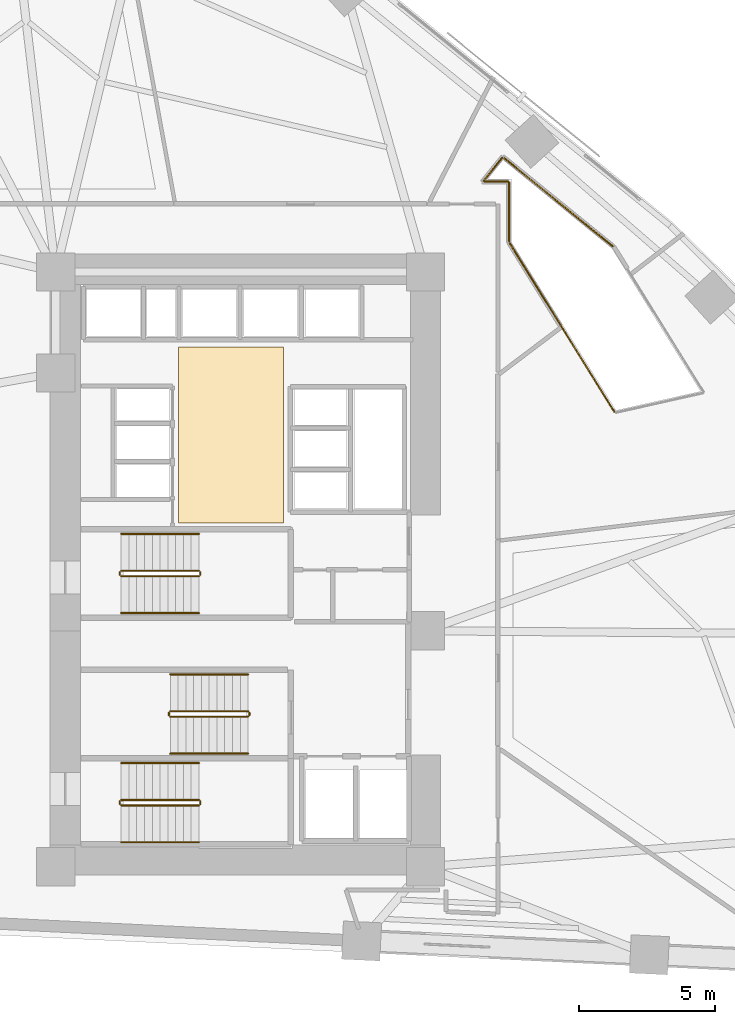
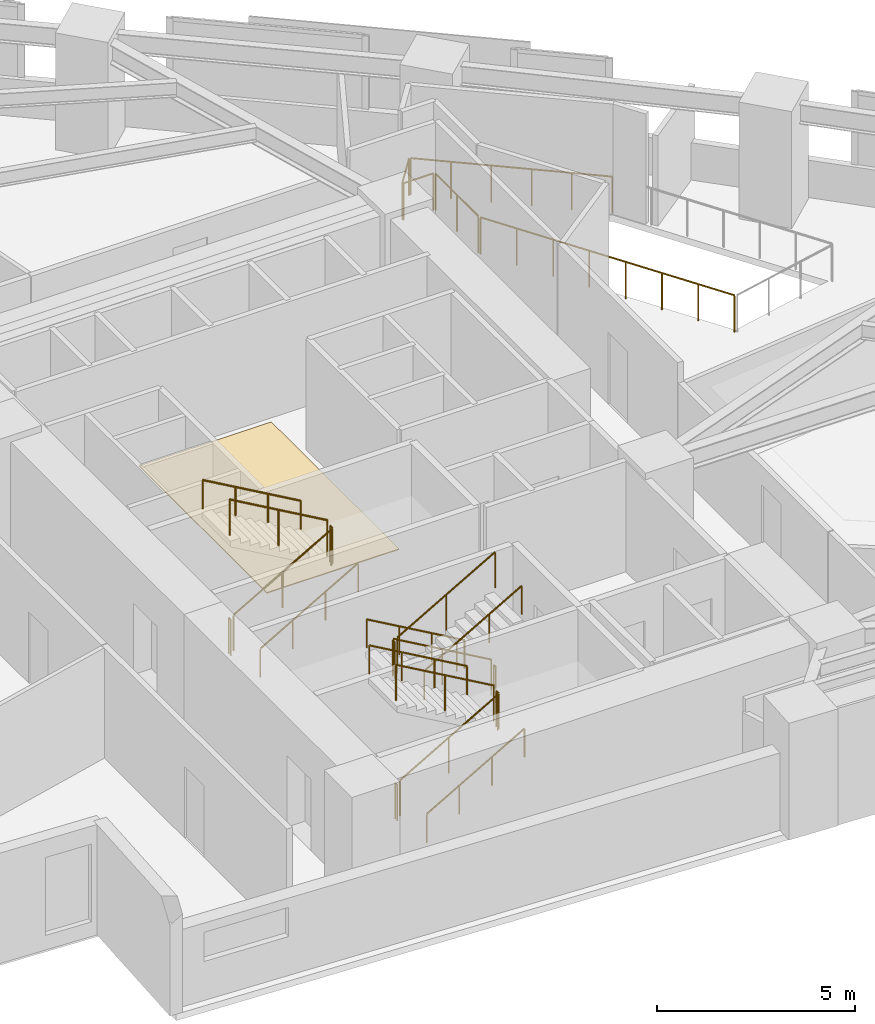
# One storey, part 16 of 17: 23 railings, 1 covering.
"""IFC4 building model written with IfcOpenShell, lengths in metres."""

from ifc_helpers import new_model, si_unit, direction, frame, origin, origin_2d, place, context, subcontext, project, spatial, polyline, circle, outline, extrude, material, layer, layer_set, type_object, element, save


model = new_model("IFC4")

# Units and contexts
model_context = context("Model", 3, precision=1e-05, world=origin(), true_north=direction((0.0, 1.0)))
body_context = subcontext(model_context, "Body", "Model", "MODEL_VIEW")
ifc_project = project(units=[si_unit("LENGTHUNIT", "METRE"), si_unit("AREAUNIT", "SQUARE_METRE"), si_unit("VOLUMEUNIT", "CUBIC_METRE"), si_unit("PLANEANGLEUNIT", "RADIAN"), si_unit("MASSUNIT", "GRAM", prefix="KILO")], contexts=[model_context])

# Site, building, storey
site_placement = place(None, origin())
site = spatial("IfcSite", under=ifc_project, at=site_placement, CompositionType="ELEMENT")
building_placement = place(site_placement, origin())
building = spatial("IfcBuilding", under=site, at=building_placement, Name="Narakoshi Arena Tower", CompositionType="ELEMENT")
storey_placement = place(building_placement, frame((0.0, 0.0, 30.300048828125)))
storey = spatial("IfcBuildingStorey", under=building, at=storey_placement, Name="L07", CompositionType="ELEMENT", Elevation=30.300048828125)

# Covering
ifc_material_1 = material(Name="Honed granite stone paving", Category="masonry")
ifc_layer = layer(ifc_material_1, 0.030029296875)
ifc_layer_set = layer_set([ifc_layer], Name="Honed granite stone paving")
covering_type = type_object("IfcCoveringType", Name="COV-FLR-ST30", PredefinedType="FLOORING", material=ifc_layer_set)
covering_placement = place(storey_placement, origin())
element("IfcCovering", 1, at=covering_placement, inside=storey, type_object=covering_type, Name="L07 Lift Lobby Granite Flooring", PredefinedType="FLOORING", context=body_context, shape_type="SweptSolid", body=[
    extrude(outline(polyline([(76.5, 47.300048828125), (80.35009765625, 47.300048828125), (80.35009765625, 53.75), (76.5, 53.75), (76.5, 47.300048828125)])), origin(), (0.0, 0.0, 1.0), 0.030029296875),
])

# Railings
ifc_material_2 = material(Name="Clear low-iron laminated structural glass", Category="glass")
railing_type_1 = type_object("IfcRailingType", Name="RL-BAL-1100", PredefinedType="BALUSTRADE", material=ifc_material_2)
railing_1_placement = place(storey_placement, frame((74.39990234375, 36.949951171875, 0.16357421875)))
element("IfcRailing", 2, at=railing_1_placement, inside=storey, type_object=railing_type_1, Name="L07 ST1 stair guard 1", PredefinedType="BALUSTRADE", context=body_context, shape_type="SweptSolid", body=[
    extrude(circle(Radius=0.02392578125, at=origin_2d()), frame((0.0, 0.0, 1.09619140625), z_axis=(0.86721270334, 0.0, 0.497937874806), x_axis=(0.0, 1.0, 0.0)), (0.0, 0.0, 1.0), 3.28662109375),
    extrude(circle(Radius=0.02099609375, at=origin_2d()), origin(), (0.0, 0.0, 1.0), 1.072021484375),
    extrude(circle(Radius=0.02099609375, at=origin_2d()), frame((1.425048828125, 0.0, 0.818359375)), (0.0, 0.0, 1.0), 1.072021484375),
    extrude(circle(Radius=0.02099609375, at=origin_2d()), frame((2.85009765625, 0.0, 1.636474609375)), (0.0, 0.0, 1.0), 1.072021484375),
])
railing_2_placement = place(storey_placement, frame((77.300048828125, 37.0, 1.800048828125)))
element("IfcRailing", 3, at=railing_2_placement, inside=storey, type_object=railing_type_1, Name="L07 ST1 stair guard 2", PredefinedType="BALUSTRADE", context=body_context, shape_type="SweptSolid", body=[
    extrude(circle(Radius=0.02392578125, at=origin_2d()), frame((0.0, 0.0, 1.09619140625), z_axis=(0.0, 1.0, 0.0), x_axis=(-1.0, 0.0, 0.0)), (0.0, 0.0, 1.0), 0.10009765625),
    extrude(circle(Radius=0.02099609375, at=origin_2d()), origin(), (0.0, 0.0, 1.0), 1.072021484375),
    extrude(circle(Radius=0.02099609375, at=origin_2d()), frame((0.0, 0.10009765625, 0.0)), (0.0, 0.0, 1.0), 1.072021484375),
])
railing_3_placement = place(storey_placement, frame((77.25, 37.14990234375, 1.963623046875)))
element("IfcRailing", 4, at=railing_3_placement, inside=storey, type_object=railing_type_1, Name="L07 ST1 stair guard 3", PredefinedType="BALUSTRADE", context=body_context, shape_type="SweptSolid", body=[
    extrude(circle(Radius=0.02392578125, at=origin_2d()), frame((0.0, 0.0, 1.09619140625), z_axis=(-0.867244780686, 0.0, 0.497882004468), x_axis=(0.0, -1.0, 0.0)), (0.0, 0.0, 1.0), 3.286376953125),
    extrude(circle(Radius=0.02099609375, at=origin_2d()), origin(), (0.0, 0.0, 1.0), 1.072021484375),
    extrude(circle(Radius=0.02099609375, at=origin_2d()), frame((-1.425048828125, 0.0, 0.818115234375)), (0.0, 0.0, 1.0), 1.072021484375),
    extrude(circle(Radius=0.02099609375, at=origin_2d()), frame((-2.85009765625, 0.0, 1.63623046875)), (0.0, 0.0, 1.0), 1.072021484375),
])
railing_4_placement = place(storey_placement, frame((74.35009765625, 37.0, 0.0)))
element("IfcRailing", 5, at=railing_4_placement, inside=storey, type_object=railing_type_1, Name="L07 ST1 stair guard 4", PredefinedType="BALUSTRADE", context=body_context, shape_type="SweptSolid", body=[
    extrude(circle(Radius=0.02392578125, at=origin_2d()), frame((0.0, 0.0, 1.09619140625), z_axis=(0.0, 1.0, 0.0), x_axis=(-1.0, 0.0, 0.0)), (0.0, 0.0, 1.0), 0.10009765625),
    extrude(circle(Radius=0.02099609375, at=origin_2d()), origin(), (0.0, 0.0, 1.0), 1.072021484375),
    extrude(circle(Radius=0.02099609375, at=origin_2d()), frame((0.0, 0.10009765625, 0.0)), (0.0, 0.0, 1.0), 1.072021484375),
])
railing_5_placement = place(storey_placement, frame((79.050048828125, 40.39990234375, 0.16357421875)))
element("IfcRailing", 6, at=railing_5_placement, inside=storey, type_object=railing_type_1, Name="L07 ST2 stair guard 1", PredefinedType="BALUSTRADE", context=body_context, shape_type="SweptSolid", body=[
    extrude(circle(Radius=0.02392578125, at=origin_2d()), frame((0.0, 0.0, 1.09619140625), z_axis=(-0.86721270334, 0.0, 0.497937874806), x_axis=(0.0, -1.0, 0.0)), (0.0, 0.0, 1.0), 3.28662109375),
    extrude(circle(Radius=0.02099609375, at=origin_2d()), origin(), (0.0, 0.0, 1.0), 1.072021484375),
    extrude(circle(Radius=0.02099609375, at=origin_2d()), frame((-1.425048828125, 0.0, 0.818359375)), (0.0, 0.0, 1.0), 1.072021484375),
    extrude(circle(Radius=0.02099609375, at=origin_2d()), frame((-2.85009765625, 0.0, 1.636474609375)), (0.0, 0.0, 1.0), 1.072021484375),
])
railing_6_placement = place(storey_placement, frame((76.14990234375, 40.35009765625, 1.800048828125)))
element("IfcRailing", 7, at=railing_6_placement, inside=storey, type_object=railing_type_1, Name="L07 ST2 stair guard 2", PredefinedType="BALUSTRADE", context=body_context, shape_type="SweptSolid", body=[
    extrude(circle(Radius=0.02392578125, at=origin_2d()), frame((0.0, 0.0, 1.09619140625), z_axis=(0.0, -1.0, 0.0), x_axis=(1.0, 0.0, 0.0)), (0.0, 0.0, 1.0), 0.10009765625),
    extrude(circle(Radius=0.02099609375, at=origin_2d()), origin(), (0.0, 0.0, 1.0), 1.072021484375),
    extrude(circle(Radius=0.02099609375, at=origin_2d()), frame((0.0, -0.10009765625, 0.0)), (0.0, 0.0, 1.0), 1.072021484375),
])
railing_7_placement = place(storey_placement, frame((76.199951171875, 40.199951171875, 1.963623046875)))
element("IfcRailing", 8, at=railing_7_placement, inside=storey, type_object=railing_type_1, Name="L07 ST2 stair guard 3", PredefinedType="BALUSTRADE", context=body_context, shape_type="SweptSolid", body=[
    extrude(circle(Radius=0.02392578125, at=origin_2d()), frame((0.0, 0.0, 1.09619140625), z_axis=(0.867244780686, 0.0, 0.497882004468), x_axis=(0.0, 1.0, 0.0)), (0.0, 0.0, 1.0), 3.286376953125),
    extrude(circle(Radius=0.02099609375, at=origin_2d()), origin(), (0.0, 0.0, 1.0), 1.072021484375),
    extrude(circle(Radius=0.02099609375, at=origin_2d()), frame((1.425048828125, 0.0, 0.818115234375)), (0.0, 0.0, 1.0), 1.072021484375),
    extrude(circle(Radius=0.02099609375, at=origin_2d()), frame((2.85009765625, 0.0, 1.63623046875)), (0.0, 0.0, 1.0), 1.072021484375),
])
railing_8_placement = place(storey_placement, frame((79.10009765625, 40.35009765625, 0.0)))
element("IfcRailing", 9, at=railing_8_placement, inside=storey, type_object=railing_type_1, Name="L07 ST2 stair guard 4", PredefinedType="BALUSTRADE", context=body_context, shape_type="SweptSolid", body=[
    extrude(circle(Radius=0.02392578125, at=origin_2d()), frame((0.0, 0.0, 1.09619140625), z_axis=(0.0, -1.0, 0.0), x_axis=(1.0, 0.0, 0.0)), (0.0, 0.0, 1.0), 0.10009765625),
    extrude(circle(Radius=0.02099609375, at=origin_2d()), origin(), (0.0, 0.0, 1.0), 1.072021484375),
    extrude(circle(Radius=0.02099609375, at=origin_2d()), frame((0.0, -0.10009765625, 0.0)), (0.0, 0.0, 1.0), 1.072021484375),
])
railing_9_placement = place(storey_placement, frame((74.39990234375, 45.35009765625, 0.16357421875)))
element("IfcRailing", 10, at=railing_9_placement, inside=storey, type_object=railing_type_1, Name="L07 ST3 stair guard 1", PredefinedType="BALUSTRADE", context=body_context, shape_type="SweptSolid", body=[
    extrude(circle(Radius=0.02392578125, at=origin_2d()), frame((0.0, 0.0, 1.09619140625), z_axis=(0.86721270334, 0.0, 0.497937874806), x_axis=(0.0, 1.0, 0.0)), (0.0, 0.0, 1.0), 3.28662109375),
    extrude(circle(Radius=0.02099609375, at=origin_2d()), origin(), (0.0, 0.0, 1.0), 1.072021484375),
    extrude(circle(Radius=0.02099609375, at=origin_2d()), frame((1.425048828125, 0.0, 0.818359375)), (0.0, 0.0, 1.0), 1.072021484375),
    extrude(circle(Radius=0.02099609375, at=origin_2d()), frame((2.85009765625, 0.0, 1.636474609375)), (0.0, 0.0, 1.0), 1.072021484375),
])
railing_10_placement = place(storey_placement, frame((77.300048828125, 45.39990234375, 1.800048828125)))
element("IfcRailing", 11, at=railing_10_placement, inside=storey, type_object=railing_type_1, Name="L07 ST3 stair guard 2", PredefinedType="BALUSTRADE", context=body_context, shape_type="SweptSolid", body=[
    extrude(circle(Radius=0.02392578125, at=origin_2d()), frame((0.0, 0.0, 1.09619140625), z_axis=(0.0, 1.0, 0.0), x_axis=(-1.0, 0.0, 0.0)), (0.0, 0.0, 1.0), 0.10009765625),
    extrude(circle(Radius=0.02099609375, at=origin_2d()), origin(), (0.0, 0.0, 1.0), 1.072021484375),
    extrude(circle(Radius=0.02099609375, at=origin_2d()), frame((0.0, 0.10009765625, 0.0)), (0.0, 0.0, 1.0), 1.072021484375),
])
railing_11_placement = place(storey_placement, frame((77.25, 45.550048828125, 1.963623046875)))
element("IfcRailing", 12, at=railing_11_placement, inside=storey, type_object=railing_type_1, Name="L07 ST3 stair guard 3", PredefinedType="BALUSTRADE", context=body_context, shape_type="SweptSolid", body=[
    extrude(circle(Radius=0.02392578125, at=origin_2d()), frame((0.0, 0.0, 1.09619140625), z_axis=(-0.867244780686, 0.0, 0.497882004468), x_axis=(0.0, -1.0, 0.0)), (0.0, 0.0, 1.0), 3.286376953125),
    extrude(circle(Radius=0.02099609375, at=origin_2d()), origin(), (0.0, 0.0, 1.0), 1.072021484375),
    extrude(circle(Radius=0.02099609375, at=origin_2d()), frame((-1.425048828125, 0.0, 0.818115234375)), (0.0, 0.0, 1.0), 1.072021484375),
    extrude(circle(Radius=0.02099609375, at=origin_2d()), frame((-2.85009765625, 0.0, 1.63623046875)), (0.0, 0.0, 1.0), 1.072021484375),
])
railing_12_placement = place(storey_placement, frame((74.35009765625, 45.39990234375, 0.0)))
element("IfcRailing", 13, at=railing_12_placement, inside=storey, type_object=railing_type_1, Name="L07 ST3 stair guard 4", PredefinedType="BALUSTRADE", context=body_context, shape_type="SweptSolid", body=[
    extrude(circle(Radius=0.02392578125, at=origin_2d()), frame((0.0, 0.0, 1.09619140625), z_axis=(0.0, 1.0, 0.0), x_axis=(-1.0, 0.0, 0.0)), (0.0, 0.0, 1.0), 0.10009765625),
    extrude(circle(Radius=0.02099609375, at=origin_2d()), origin(), (0.0, 0.0, 1.0), 1.072021484375),
    extrude(circle(Radius=0.02099609375, at=origin_2d()), frame((0.0, 0.10009765625, 0.0)), (0.0, 0.0, 1.0), 1.072021484375),
])
ifc_material_3 = material(Name="Brushed bronze stainless steel", Category="steel")
railing_type_2 = type_object("IfcRailingType", Name="RL-GRD-1150", PredefinedType="GUARDRAIL", material=ifc_material_3)
railing_13_placement = place(storey_placement, frame((92.477294921875, 51.3740234375, 0.0)))
element("IfcRailing", 14, at=railing_13_placement, inside=storey, type_object=railing_type_2, Name="L07 Sky-Garden Atrium Void Guardrail 1", PredefinedType="GUARDRAIL", context=body_context, shape_type="SweptSolid", body=[
    extrude(circle(Radius=0.02392578125, at=origin_2d()), frame((0.0, 0.0, 1.1259765625), z_axis=(-0.527639514135, 0.849468388537, 0.0), x_axis=(-0.849468388537, -0.527639514135, 0.0)), (0.0, 0.0, 1.0), 7.2705078125),
    extrude(circle(Radius=0.02099609375, at=origin_2d()), origin(), (0.0, 0.0, 1.0), 1.101806640625),
    extrude(circle(Radius=0.02099609375, at=origin_2d()), frame((-0.548095703125, 0.88232421875, 0.0)), (0.0, 0.0, 1.0), 1.101806640625),
    extrude(circle(Radius=0.02099609375, at=origin_2d()), frame((-1.095947265625, 1.7646484375, 0.0)), (0.0, 0.0, 1.0), 1.101806640625),
    extrude(circle(Radius=0.02099609375, at=origin_2d()), frame((-1.64404296875, 2.64697265625, 0.0)), (0.0, 0.0, 1.0), 1.101806640625),
    extrude(circle(Radius=0.02099609375, at=origin_2d()), frame((-2.192138671875, 3.529052734375, 0.0)), (0.0, 0.0, 1.0), 1.101806640625),
    extrude(circle(Radius=0.02099609375, at=origin_2d()), frame((-2.740234375, 4.411376953125, 0.0)), (0.0, 0.0, 1.0), 1.101806640625),
    extrude(circle(Radius=0.02099609375, at=origin_2d()), frame((-3.2880859375, 5.293701171875, 0.0)), (0.0, 0.0, 1.0), 1.101806640625),
    extrude(circle(Radius=0.02099609375, at=origin_2d()), frame((-3.836181640625, 6.176025390625, 0.0)), (0.0, 0.0, 1.0), 1.101806640625),
])
railing_14_placement = place(storey_placement, frame((88.6201171875, 57.6240234375, 0.0)))
element("IfcRailing", 15, at=railing_14_placement, inside=storey, type_object=railing_type_2, Name="L07 Sky-Garden Atrium Void Guardrail 2", PredefinedType="GUARDRAIL", context=body_context, shape_type="SweptSolid", body=[
    extrude(circle(Radius=0.02392578125, at=origin_2d()), frame((0.0, 0.0, 1.1259765625), z_axis=(0.0, 1.0, 0.0), x_axis=(-1.0, 0.0, 0.0)), (0.0, 0.0, 1.0), 2.156005859375),
    extrude(circle(Radius=0.02099609375, at=origin_2d()), origin(), (0.0, 0.0, 1.0), 1.101806640625),
    extrude(circle(Radius=0.02099609375, at=origin_2d()), frame((0.0, 1.078125, 0.0)), (0.0, 0.0, 1.0), 1.101806640625),
    extrude(circle(Radius=0.02099609375, at=origin_2d()), frame((0.0, 2.156005859375, 0.0)), (0.0, 0.0, 1.0), 1.101806640625),
])
railing_15_placement = place(storey_placement, frame((88.580078125, 59.820068359375, 0.0)))
element("IfcRailing", 16, at=railing_15_placement, inside=storey, type_object=railing_type_2, Name="L07 Sky-Garden Atrium Void Guardrail 3", PredefinedType="GUARDRAIL", context=body_context, shape_type="SweptSolid", body=[
    extrude(circle(Radius=0.02392578125, at=origin_2d()), frame((0.0, 0.0, 1.1259765625), z_axis=(-1.0, 0.0, 0.0), x_axis=(0.0, -1.0, 0.0)), (0.0, 0.0, 1.0), 0.875244140625),
    extrude(circle(Radius=0.02099609375, at=origin_2d()), origin(), (0.0, 0.0, 1.0), 1.101806640625),
    extrude(circle(Radius=0.02099609375, at=origin_2d()), frame((-0.875244140625, 0.0, 0.0)), (0.0, 0.0, 1.0), 1.101806640625),
])
railing_16_placement = place(storey_placement, frame((87.68994140625, 59.85107421875, 0.0)))
element("IfcRailing", 17, at=railing_16_placement, inside=storey, type_object=railing_type_2, Name="L07 Sky-Garden Atrium Void Guardrail 4", PredefinedType="GUARDRAIL", context=body_context, shape_type="SweptSolid", body=[
    extrude(circle(Radius=0.02392578125, at=origin_2d()), frame((0.0, 0.0, 1.1259765625), z_axis=(0.628863159406, 0.77751599774, 0.0), x_axis=(-0.77751599774, 0.628863159406, 0.0)), (0.0, 0.0, 1.0), 1.069091796875),
    extrude(circle(Radius=0.02099609375, at=origin_2d()), origin(), (0.0, 0.0, 1.0), 1.101806640625),
    extrude(circle(Radius=0.02099609375, at=origin_2d()), frame((0.67236328125, 0.831298828125, 0.0)), (0.0, 0.0, 1.0), 1.101806640625),
])
railing_17_placement = place(storey_placement, frame((88.41845703125, 60.688232421875, 0.0)))
element("IfcRailing", 18, at=railing_17_placement, inside=storey, type_object=railing_type_2, Name="L07 Sky-Garden Atrium Void Guardrail 5", PredefinedType="GUARDRAIL", context=body_context, shape_type="SweptSolid", body=[
    extrude(circle(Radius=0.02392578125, at=origin_2d()), frame((0.0, 0.0, 1.1259765625), z_axis=(0.775992142354, -0.630742574276, 0.0), x_axis=(0.630742574276, 0.775992142354, 0.0)), (0.0, 0.0, 1.0), 5.1484375),
    extrude(circle(Radius=0.02099609375, at=origin_2d()), origin(), (0.0, 0.0, 1.0), 1.101806640625),
    extrude(circle(Radius=0.02099609375, at=origin_2d()), frame((0.799072265625, -0.6494140625, 0.0)), (0.0, 0.0, 1.0), 1.101806640625),
    extrude(circle(Radius=0.02099609375, at=origin_2d()), frame((1.59814453125, -1.298828125, 0.0)), (0.0, 0.0, 1.0), 1.101806640625),
    extrude(circle(Radius=0.02099609375, at=origin_2d()), frame((2.39697265625, -1.948486328125, 0.0)), (0.0, 0.0, 1.0), 1.101806640625),
    extrude(circle(Radius=0.02099609375, at=origin_2d()), frame((3.196044921875, -2.597900390625, 0.0)), (0.0, 0.0, 1.0), 1.101806640625),
    extrude(circle(Radius=0.02099609375, at=origin_2d()), frame((3.9951171875, -3.247314453125, 0.0)), (0.0, 0.0, 1.0), 1.101806640625),
])
railing_type_3 = type_object("IfcRailingType", Name="RL-HND-900", PredefinedType="HANDRAIL", material=ifc_material_3)
railing_18_placement = place(storey_placement, frame((74.39990234375, 35.60009765625, 0.16357421875)))
element("IfcRailing", 19, at=railing_18_placement, inside=storey, type_object=railing_type_3, Name="L07 ST1 stair handrail 1", PredefinedType="HANDRAIL", context=body_context, shape_type="SweptSolid", body=[
    extrude(circle(Radius=0.02392578125, at=origin_2d()), frame((0.0, 0.0, 0.8759765625), z_axis=(0.86721270334, 0.0, 0.497937874806), x_axis=(0.0, 1.0, 0.0)), (0.0, 0.0, 1.0), 3.28662109375),
    extrude(circle(Radius=0.02099609375, at=origin_2d()), origin(), (0.0, 0.0, 1.0), 0.851806640625),
    extrude(circle(Radius=0.02099609375, at=origin_2d()), frame((0.949951171875, 0.0, 0.54541015625)), (0.0, 0.0, 1.0), 0.851806640625),
    extrude(circle(Radius=0.02099609375, at=origin_2d()), frame((1.900146484375, 0.0, 1.091064453125)), (0.0, 0.0, 1.0), 0.851806640625),
    extrude(circle(Radius=0.02099609375, at=origin_2d()), frame((2.85009765625, 0.0, 1.636474609375)), (0.0, 0.0, 1.0), 0.851806640625),
])
railing_19_placement = place(storey_placement, frame((77.25, 38.5, 1.963623046875)))
element("IfcRailing", 20, at=railing_19_placement, inside=storey, type_object=railing_type_3, Name="L07 ST1 stair handrail 2", PredefinedType="HANDRAIL", context=body_context, shape_type="SweptSolid", body=[
    extrude(circle(Radius=0.02392578125, at=origin_2d()), frame((0.0, 0.0, 0.8759765625), z_axis=(-0.867244780686, 0.0, 0.497882004468), x_axis=(0.0, -1.0, 0.0)), (0.0, 0.0, 1.0), 3.286376953125),
    extrude(circle(Radius=0.02099609375, at=origin_2d()), origin(), (0.0, 0.0, 1.0), 0.851806640625),
    extrude(circle(Radius=0.02099609375, at=origin_2d()), frame((-0.949951171875, 0.0, 0.54541015625)), (0.0, 0.0, 1.0), 0.851806640625),
    extrude(circle(Radius=0.02099609375, at=origin_2d()), frame((-1.900146484375, 0.0, 1.0908203125)), (0.0, 0.0, 1.0), 0.851806640625),
    extrude(circle(Radius=0.02099609375, at=origin_2d()), frame((-2.85009765625, 0.0, 1.63623046875)), (0.0, 0.0, 1.0), 0.851806640625),
])
railing_20_placement = place(storey_placement, frame((79.050048828125, 41.75, 0.16357421875)))
element("IfcRailing", 21, at=railing_20_placement, inside=storey, type_object=railing_type_3, Name="L07 ST2 stair handrail 1", PredefinedType="HANDRAIL", context=body_context, shape_type="SweptSolid", body=[
    extrude(circle(Radius=0.02392578125, at=origin_2d()), frame((0.0, 0.0, 0.8759765625), z_axis=(-0.86721270334, 0.0, 0.497937874806), x_axis=(0.0, -1.0, 0.0)), (0.0, 0.0, 1.0), 3.28662109375),
    extrude(circle(Radius=0.02099609375, at=origin_2d()), origin(), (0.0, 0.0, 1.0), 0.851806640625),
    extrude(circle(Radius=0.02099609375, at=origin_2d()), frame((-0.949951171875, 0.0, 0.54541015625)), (0.0, 0.0, 1.0), 0.851806640625),
    extrude(circle(Radius=0.02099609375, at=origin_2d()), frame((-1.900146484375, 0.0, 1.091064453125)), (0.0, 0.0, 1.0), 0.851806640625),
    extrude(circle(Radius=0.02099609375, at=origin_2d()), frame((-2.85009765625, 0.0, 1.636474609375)), (0.0, 0.0, 1.0), 0.851806640625),
])
railing_21_placement = place(storey_placement, frame((76.199951171875, 38.85009765625, 1.963623046875)))
element("IfcRailing", 22, at=railing_21_placement, inside=storey, type_object=railing_type_3, Name="L07 ST2 stair handrail 2", PredefinedType="HANDRAIL", context=body_context, shape_type="SweptSolid", body=[
    extrude(circle(Radius=0.02392578125, at=origin_2d()), frame((0.0, 0.0, 0.8759765625), z_axis=(0.867244780686, 0.0, 0.497882004468), x_axis=(0.0, 1.0, 0.0)), (0.0, 0.0, 1.0), 3.286376953125),
    extrude(circle(Radius=0.02099609375, at=origin_2d()), origin(), (0.0, 0.0, 1.0), 0.851806640625),
    extrude(circle(Radius=0.02099609375, at=origin_2d()), frame((0.949951171875, 0.0, 0.54541015625)), (0.0, 0.0, 1.0), 0.851806640625),
    extrude(circle(Radius=0.02099609375, at=origin_2d()), frame((1.900146484375, 0.0, 1.0908203125)), (0.0, 0.0, 1.0), 0.851806640625),
    extrude(circle(Radius=0.02099609375, at=origin_2d()), frame((2.85009765625, 0.0, 1.63623046875)), (0.0, 0.0, 1.0), 0.851806640625),
])
railing_22_placement = place(storey_placement, frame((74.39990234375, 44.0, 0.16357421875)))
element("IfcRailing", 23, at=railing_22_placement, inside=storey, type_object=railing_type_3, Name="L07 ST3 stair handrail 1", PredefinedType="HANDRAIL", context=body_context, shape_type="SweptSolid", body=[
    extrude(circle(Radius=0.02392578125, at=origin_2d()), frame((0.0, 0.0, 0.8759765625), z_axis=(0.86721270334, 0.0, 0.497937874806), x_axis=(0.0, 1.0, 0.0)), (0.0, 0.0, 1.0), 3.28662109375),
    extrude(circle(Radius=0.02099609375, at=origin_2d()), origin(), (0.0, 0.0, 1.0), 0.851806640625),
    extrude(circle(Radius=0.02099609375, at=origin_2d()), frame((0.949951171875, 0.0, 0.54541015625)), (0.0, 0.0, 1.0), 0.851806640625),
    extrude(circle(Radius=0.02099609375, at=origin_2d()), frame((1.900146484375, 0.0, 1.091064453125)), (0.0, 0.0, 1.0), 0.851806640625),
    extrude(circle(Radius=0.02099609375, at=origin_2d()), frame((2.85009765625, 0.0, 1.636474609375)), (0.0, 0.0, 1.0), 0.851806640625),
])
railing_23_placement = place(storey_placement, frame((77.25, 46.89990234375, 1.963623046875)))
element("IfcRailing", 24, at=railing_23_placement, inside=storey, type_object=railing_type_3, Name="L07 ST3 stair handrail 2", PredefinedType="HANDRAIL", context=body_context, shape_type="SweptSolid", body=[
    extrude(circle(Radius=0.02392578125, at=origin_2d()), frame((0.0, 0.0, 0.8759765625), z_axis=(-0.867244780686, 0.0, 0.497882004468), x_axis=(0.0, -1.0, 0.0)), (0.0, 0.0, 1.0), 3.286376953125),
    extrude(circle(Radius=0.02099609375, at=origin_2d()), origin(), (0.0, 0.0, 1.0), 0.851806640625),
    extrude(circle(Radius=0.02099609375, at=origin_2d()), frame((-0.949951171875, 0.0, 0.54541015625)), (0.0, 0.0, 1.0), 0.851806640625),
    extrude(circle(Radius=0.02099609375, at=origin_2d()), frame((-1.900146484375, 0.0, 1.0908203125)), (0.0, 0.0, 1.0), 0.851806640625),
    extrude(circle(Radius=0.02099609375, at=origin_2d()), frame((-2.85009765625, 0.0, 1.63623046875)), (0.0, 0.0, 1.0), 0.851806640625),
])

save(model, "model.ifc")
